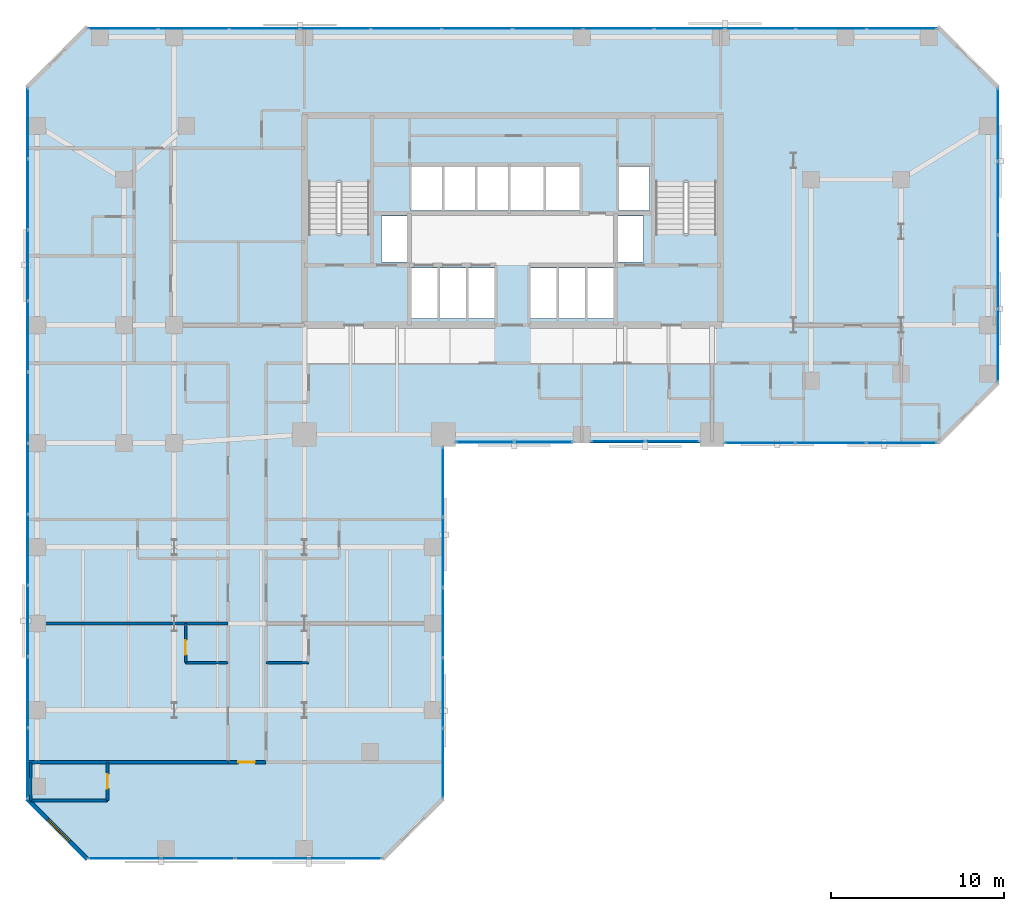
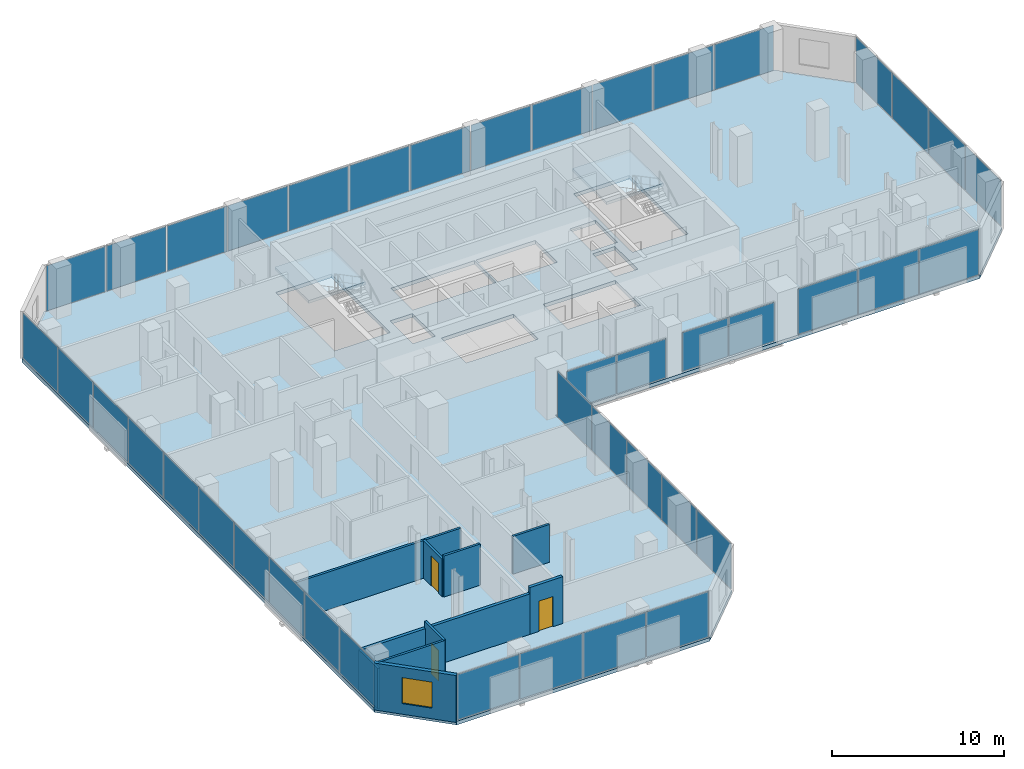
# One storey, part 26 of 32: 42 plates, 10 walls, 3 doors, 3 slabs, 1 window, 4 openings, 10 elements without a shape of their own.
"""IFC4 building model written with IfcOpenShell, lengths in metres."""

from ifc_helpers import new_model, si_unit, direction, frame, frame_2d, origin, origin_2d, place, context, subcontext, project, spatial, polyline, rectangle, outline, extrude, material, layer, layer_set, type_object, element, fill, aggregate, save


model = new_model("IFC4")

# Units and contexts
model_context = context("Model", 3, precision=1e-05, world=origin(), true_north=direction((0.0, 1.0)))
body_context = subcontext(model_context, "Body", "Model", "MODEL_VIEW")
ifc_project = project(units=[si_unit("LENGTHUNIT", "METRE"), si_unit("AREAUNIT", "SQUARE_METRE"), si_unit("VOLUMEUNIT", "CUBIC_METRE"), si_unit("PLANEANGLEUNIT", "RADIAN"), si_unit("MASSUNIT", "GRAM", prefix="KILO")], contexts=[model_context])

# Site, building, storey
site_placement = place(None, origin())
site = spatial("IfcSite", under=ifc_project, at=site_placement, CompositionType="ELEMENT")
building_placement = place(site_placement, origin())
building = spatial("IfcBuilding", under=site, at=building_placement, Name="Catumbela Crestline Tower", CompositionType="ELEMENT")
storey_placement = place(building_placement, frame((0.0, 0.0, 29.4)))
storey = spatial("IfcBuildingStorey", under=building, at=storey_placement, Name="L06", CompositionType="ELEMENT", Elevation=29.4)

# Curtain wall, plates
ifc_material_1 = material(Name="Aluminium alloy AW-6060-T66", Category="aluminium")
ifc_layer_1 = layer(ifc_material_1, 0.18, Name="Aluminium alloy AW-6060-T66")
ifc_layer_set_1 = layer_set([ifc_layer_1], Name="Aluminium alloy AW-6060-T66")
curtain_wall_type = type_object("IfcCurtainWallType", Name="CWU-Z1", PredefinedType="USERDEFINED", material=ifc_layer_set_1)
curtain_wall_1_placement = place(storey_placement, origin())
curtain_wall_1 = element("IfcCurtainWall", 1, at=curtain_wall_1_placement, inside=storey, type_object=curtain_wall_type, Name="L06 Unitised Curtain Wall CW-L06-E0S1", ObjectType="UNITISED", PredefinedType="USERDEFINED")
ifc_material_2 = material(Name="Low-E laminated solar-control double glazing", Category="glass")
ifc_layer_2 = layer(ifc_material_2, 0.034, Name="Low-E laminated solar-control double glazing")
ifc_layer_set_2 = layer_set([ifc_layer_2], Name="Low-E laminated solar-control double glazing")
plate_type = type_object("IfcPlateType", Name="PNL-GLZ-Z1", PredefinedType="CURTAIN_PANEL", material=ifc_layer_set_2)
plate_1_placement = place(storey_placement, frame((5.6412, 0.05, 0.06), z_axis=(0.0, 0.0, 1.0), x_axis=(1.0, 0.0, 0.0)))
plate_1 = element("IfcPlate", 2, at=plate_1_placement, type_object=plate_type, Name="CWU-Z1 panel 1.1", PredefinedType="CURTAIN_PANEL", context=body_context, shape_type="SweptSolid", body=[
    extrude(rectangle(XDim=4.1525, YDim=0.034, at=origin_2d()), origin(), (0.0, 0.0, 1.0), 3.21),
])
plate_2_placement = place(storey_placement, frame((9.875, 0.05, 0.06), z_axis=(0.0, 0.0, 1.0), x_axis=(1.0, 0.0, 0.0)))
plate_2 = element("IfcPlate", 3, at=plate_2_placement, type_object=plate_type, Name="CWU-Z1 panel 2.1", PredefinedType="CURTAIN_PANEL", context=body_context, shape_type="SweptSolid", body=[
    extrude(rectangle(XDim=4.185, YDim=0.034, at=origin_2d()), origin(), (0.0, 0.0, 1.0), 3.21),
])
plate_3_placement = place(storey_placement, frame((14.125, 0.05, 0.06), z_axis=(0.0, 0.0, 1.0), x_axis=(1.0, 0.0, 0.0)))
plate_3 = element("IfcPlate", 4, at=plate_3_placement, type_object=plate_type, Name="CWU-Z1 panel 3.1", PredefinedType="CURTAIN_PANEL", context=body_context, shape_type="SweptSolid", body=[
    extrude(rectangle(XDim=4.185, YDim=0.034, at=origin_2d()), origin(), (0.0, 0.0, 1.0), 3.21),
])
plate_4_placement = place(storey_placement, frame((18.3588, 0.05, 0.06), z_axis=(0.0, 0.0, 1.0), x_axis=(1.0, 0.0, 0.0)))
plate_4 = element("IfcPlate", 5, at=plate_4_placement, type_object=plate_type, Name="CWU-Z1 panel 4.1", PredefinedType="CURTAIN_PANEL", context=body_context, shape_type="SweptSolid", body=[
    extrude(rectangle(XDim=4.1525, YDim=0.034, at=origin_2d()), origin(), (0.0, 0.0, 1.0), 3.21),
])
aggregate(curtain_wall_1, [plate_1, plate_2, plate_3, plate_4])

curtain_wall_2_placement = place(storey_placement, origin())
curtain_wall_2 = element("IfcCurtainWall", 6, at=curtain_wall_2_placement, inside=storey, type_object=curtain_wall_type, Name="L06 Unitised Curtain Wall CW-L06-E2S1", ObjectType="UNITISED", PredefinedType="USERDEFINED")
plate_5_placement = place(storey_placement, frame((24.0, 5.5462, 0.06), z_axis=(0.0, 0.0, 1.0), x_axis=(0.0, 1.0, 0.0)))
plate_5 = element("IfcPlate", 7, at=plate_5_placement, type_object=plate_type, Name="CWU-Z1 panel 1.1", PredefinedType="CURTAIN_PANEL", context=body_context, shape_type="SweptSolid", body=[
    extrude(rectangle(XDim=3.9625, YDim=0.034, at=origin_2d()), origin(), (0.0, 0.0, 1.0), 3.21),
])
plate_6_placement = place(storey_placement, frame((24.0, 9.59, 0.06), z_axis=(0.0, 0.0, 1.0), x_axis=(0.0, 1.0, 0.0)))
plate_6 = element("IfcPlate", 8, at=plate_6_placement, type_object=plate_type, Name="CWU-Z1 panel 2.1", PredefinedType="CURTAIN_PANEL", context=body_context, shape_type="SweptSolid", body=[
    extrude(rectangle(XDim=3.995, YDim=0.034, at=origin_2d()), origin(), (0.0, 0.0, 1.0), 3.21),
])
plate_7_placement = place(storey_placement, frame((24.0, 13.65, 0.06), z_axis=(0.0, 0.0, 1.0), x_axis=(0.0, 1.0, 0.0)))
plate_7 = element("IfcPlate", 9, at=plate_7_placement, type_object=plate_type, Name="CWU-Z1 panel 3.1", PredefinedType="CURTAIN_PANEL", context=body_context, shape_type="SweptSolid", body=[
    extrude(rectangle(XDim=3.995, YDim=0.034, at=origin_2d()), origin(), (0.0, 0.0, 1.0), 3.21),
])
plate_8_placement = place(storey_placement, frame((24.0, 17.71, 0.06), z_axis=(0.0, 0.0, 1.0), x_axis=(0.0, 1.0, 0.0)))
plate_8 = element("IfcPlate", 10, at=plate_8_placement, type_object=plate_type, Name="CWU-Z1 panel 4.1", PredefinedType="CURTAIN_PANEL", context=body_context, shape_type="SweptSolid", body=[
    extrude(rectangle(XDim=3.995, YDim=0.034, at=origin_2d()), origin(), (0.0, 0.0, 1.0), 3.21),
])
plate_9_placement = place(storey_placement, frame((24.0, 21.7538, 0.06), z_axis=(0.0, 0.0, 1.0), x_axis=(0.0, 1.0, 0.0)))
plate_9 = element("IfcPlate", 11, at=plate_9_placement, type_object=plate_type, Name="CWU-Z1 panel 5.1", PredefinedType="CURTAIN_PANEL", context=body_context, shape_type="SweptSolid", body=[
    extrude(rectangle(XDim=3.9625, YDim=0.034, at=origin_2d()), origin(), (0.0, 0.0, 1.0), 3.21),
])
aggregate(curtain_wall_2, [plate_5, plate_6, plate_7, plate_8, plate_9])

curtain_wall_3_placement = place(storey_placement, origin())
curtain_wall_3 = element("IfcCurtainWall", 12, at=curtain_wall_3_placement, inside=storey, type_object=curtain_wall_type, Name="L06 Unitised Curtain Wall CW-L06-E3S1", ObjectType="UNITISED", PredefinedType="USERDEFINED")
plate_10_placement = place(storey_placement, frame((26.4162, 24.05, 0.06), z_axis=(0.0, 0.0, 1.0), x_axis=(1.0, 0.0, 0.0)))
plate_10 = element("IfcPlate", 13, at=plate_10_placement, type_object=plate_type, Name="CWU-Z1 panel 1.1", PredefinedType="CURTAIN_PANEL", context=body_context, shape_type="SweptSolid", body=[
    extrude(rectangle(XDim=3.3025, YDim=0.034, at=origin_2d()), origin(), (0.0, 0.0, 1.0), 2.75),
])
plate_11_placement = place(storey_placement, frame((29.7838, 24.05, 0.06), z_axis=(0.0, 0.0, 1.0), x_axis=(1.0, 0.0, 0.0)))
plate_11 = element("IfcPlate", 14, at=plate_11_placement, type_object=plate_type, Name="CWU-Z1 panel 2.1", PredefinedType="CURTAIN_PANEL", context=body_context, shape_type="SweptSolid", body=[
    extrude(rectangle(XDim=3.3025, YDim=0.034, at=origin_2d()), origin(), (0.0, 0.0, 1.0), 2.75),
])
aggregate(curtain_wall_3, [plate_10, plate_11])

curtain_wall_4_placement = place(storey_placement, origin())
curtain_wall_4 = element("IfcCurtainWall", 15, at=curtain_wall_4_placement, inside=storey, type_object=curtain_wall_type, Name="L06 Unitised Curtain Wall CW-L06-E3S2", ObjectType="UNITISED", PredefinedType="USERDEFINED")
plate_12_placement = place(storey_placement, frame((34.0912, 24.1, 0.06), z_axis=(0.0, 0.0, 1.0), x_axis=(1.0, 0.0, 0.0)))
plate_12 = element("IfcPlate", 16, at=plate_12_placement, type_object=plate_type, Name="CWU-Z1 panel 1.1", PredefinedType="CURTAIN_PANEL", context=body_context, shape_type="SweptSolid", body=[
    extrude(rectangle(XDim=3.0525, YDim=0.034, at=origin_2d()), origin(), (0.0, 0.0, 1.0), 2.75),
])
plate_13_placement = place(storey_placement, frame((37.2088, 24.1, 0.06), z_axis=(0.0, 0.0, 1.0), x_axis=(1.0, 0.0, 0.0)))
plate_13 = element("IfcPlate", 17, at=plate_13_placement, type_object=plate_type, Name="CWU-Z1 panel 2.1", PredefinedType="CURTAIN_PANEL", context=body_context, shape_type="SweptSolid", body=[
    extrude(rectangle(XDim=3.0525, YDim=0.034, at=origin_2d()), origin(), (0.0, 0.0, 1.0), 2.75),
])
aggregate(curtain_wall_4, [plate_12, plate_13])

curtain_wall_5_placement = place(storey_placement, origin())
curtain_wall_5 = element("IfcCurtainWall", 18, at=curtain_wall_5_placement, inside=storey, type_object=curtain_wall_type, Name="L06 Unitised Curtain Wall CW-L06-E3S3", ObjectType="UNITISED", PredefinedType="USERDEFINED")
plate_14_placement = place(storey_placement, frame((42.2662, 24.0, 0.06), z_axis=(0.0, 0.0, 1.0), x_axis=(1.0, 0.0, 0.0)))
plate_14 = element("IfcPlate", 19, at=plate_14_placement, type_object=plate_type, Name="CWU-Z1 panel 1.1", PredefinedType="CURTAIN_PANEL", context=body_context, shape_type="SweptSolid", body=[
    extrude(rectangle(XDim=4.0025, YDim=0.034, at=origin_2d()), origin(), (0.0, 0.0, 1.0), 3.21),
])
plate_15_placement = place(storey_placement, frame((46.35, 24.0, 0.06), z_axis=(0.0, 0.0, 1.0), x_axis=(1.0, 0.0, 0.0)))
plate_15 = element("IfcPlate", 20, at=plate_15_placement, type_object=plate_type, Name="CWU-Z1 panel 2.1", PredefinedType="CURTAIN_PANEL", context=body_context, shape_type="SweptSolid", body=[
    extrude(rectangle(XDim=4.035, YDim=0.034, at=origin_2d()), origin(), (0.0, 0.0, 1.0), 3.21),
])
plate_16_placement = place(storey_placement, frame((50.4338, 24.0, 0.06), z_axis=(0.0, 0.0, 1.0), x_axis=(1.0, 0.0, 0.0)))
plate_16 = element("IfcPlate", 21, at=plate_16_placement, type_object=plate_type, Name="CWU-Z1 panel 3.1", PredefinedType="CURTAIN_PANEL", context=body_context, shape_type="SweptSolid", body=[
    extrude(rectangle(XDim=4.0025, YDim=0.034, at=origin_2d()), origin(), (0.0, 0.0, 1.0), 3.21),
])
aggregate(curtain_wall_5, [plate_14, plate_15, plate_16])

curtain_wall_6_placement = place(storey_placement, origin())
curtain_wall_6 = element("IfcCurtainWall", 22, at=curtain_wall_6_placement, inside=storey, type_object=curtain_wall_type, Name="L06 Unitised Curtain Wall CW-L06-E5S1", ObjectType="UNITISED", PredefinedType="USERDEFINED")
plate_17_placement = place(storey_placement, frame((56.0, 29.6412, 0.06), z_axis=(0.0, 0.0, 1.0), x_axis=(0.0, 1.0, 0.0)))
plate_17 = element("IfcPlate", 23, at=plate_17_placement, type_object=plate_type, Name="CWU-Z1 panel 1.1", PredefinedType="CURTAIN_PANEL", context=body_context, shape_type="SweptSolid", body=[
    extrude(rectangle(XDim=4.1525, YDim=0.034, at=origin_2d()), origin(), (0.0, 0.0, 1.0), 3.21),
])
plate_18_placement = place(storey_placement, frame((56.0, 33.875, 0.06), z_axis=(0.0, 0.0, 1.0), x_axis=(0.0, 1.0, 0.0)))
plate_18 = element("IfcPlate", 24, at=plate_18_placement, type_object=plate_type, Name="CWU-Z1 panel 2.1", PredefinedType="CURTAIN_PANEL", context=body_context, shape_type="SweptSolid", body=[
    extrude(rectangle(XDim=4.185, YDim=0.034, at=origin_2d()), origin(), (0.0, 0.0, 1.0), 3.21),
])
plate_19_placement = place(storey_placement, frame((56.0, 38.125, 0.06), z_axis=(0.0, 0.0, 1.0), x_axis=(0.0, 1.0, 0.0)))
plate_19 = element("IfcPlate", 25, at=plate_19_placement, type_object=plate_type, Name="CWU-Z1 panel 3.1", PredefinedType="CURTAIN_PANEL", context=body_context, shape_type="SweptSolid", body=[
    extrude(rectangle(XDim=4.185, YDim=0.034, at=origin_2d()), origin(), (0.0, 0.0, 1.0), 3.21),
])
plate_20_placement = place(storey_placement, frame((56.0, 42.3588, 0.06), z_axis=(0.0, 0.0, 1.0), x_axis=(0.0, 1.0, 0.0)))
plate_20 = element("IfcPlate", 26, at=plate_20_placement, type_object=plate_type, Name="CWU-Z1 panel 4.1", PredefinedType="CURTAIN_PANEL", context=body_context, shape_type="SweptSolid", body=[
    extrude(rectangle(XDim=4.1525, YDim=0.034, at=origin_2d()), origin(), (0.0, 0.0, 1.0), 3.21),
])
aggregate(curtain_wall_6, [plate_17, plate_18, plate_19, plate_20])

curtain_wall_7_placement = place(storey_placement, origin())
curtain_wall_7 = element("IfcCurtainWall", 27, at=curtain_wall_7_placement, inside=storey, type_object=curtain_wall_type, Name="L06 Unitised Curtain Wall CW-L06-E7S1", ObjectType="UNITISED", PredefinedType="USERDEFINED")
plate_21_placement = place(storey_placement, frame((50.4421, 47.9, 0.06), z_axis=(0.0, 0.0, 1.0), x_axis=(-1.0, 0.0, 0.0)))
plate_21 = element("IfcPlate", 28, at=plate_21_placement, type_object=plate_type, Name="CWU-Z1 panel 1.1", PredefinedType="CURTAIN_PANEL", context=body_context, shape_type="SweptSolid", body=[
    extrude(rectangle(XDim=3.9858, YDim=0.034, at=origin_2d()), origin(), (0.0, 0.0, 1.0), 3.21),
])
plate_22_placement = place(storey_placement, frame((46.375, 47.9, 0.06), z_axis=(0.0, 0.0, 1.0), x_axis=(-1.0, 0.0, 0.0)))
plate_22 = element("IfcPlate", 29, at=plate_22_placement, type_object=plate_type, Name="CWU-Z1 panel 2.1", PredefinedType="CURTAIN_PANEL", context=body_context, shape_type="SweptSolid", body=[
    extrude(rectangle(XDim=4.0183, YDim=0.034, at=origin_2d()), origin(), (0.0, 0.0, 1.0), 3.21),
])
plate_23_placement = place(storey_placement, frame((42.2917, 47.9, 0.06), z_axis=(0.0, 0.0, 1.0), x_axis=(-1.0, 0.0, 0.0)))
plate_23 = element("IfcPlate", 30, at=plate_23_placement, type_object=plate_type, Name="CWU-Z1 panel 3.1", PredefinedType="CURTAIN_PANEL", context=body_context, shape_type="SweptSolid", body=[
    extrude(rectangle(XDim=4.0183, YDim=0.034, at=origin_2d()), origin(), (0.0, 0.0, 1.0), 3.21),
])
plate_24_placement = place(storey_placement, frame((38.2083, 47.9, 0.06), z_axis=(0.0, 0.0, 1.0), x_axis=(-1.0, 0.0, 0.0)))
plate_24 = element("IfcPlate", 31, at=plate_24_placement, type_object=plate_type, Name="CWU-Z1 panel 4.1", PredefinedType="CURTAIN_PANEL", context=body_context, shape_type="SweptSolid", body=[
    extrude(rectangle(XDim=4.0183, YDim=0.034, at=origin_2d()), origin(), (0.0, 0.0, 1.0), 3.21),
])
plate_25_placement = place(storey_placement, frame((34.125, 47.9, 0.06), z_axis=(0.0, 0.0, 1.0), x_axis=(-1.0, 0.0, 0.0)))
plate_25 = element("IfcPlate", 32, at=plate_25_placement, type_object=plate_type, Name="CWU-Z1 panel 5.1", PredefinedType="CURTAIN_PANEL", context=body_context, shape_type="SweptSolid", body=[
    extrude(rectangle(XDim=4.0183, YDim=0.034, at=origin_2d()), origin(), (0.0, 0.0, 1.0), 3.21),
])
plate_26_placement = place(storey_placement, frame((30.0417, 47.9, 0.06), z_axis=(0.0, 0.0, 1.0), x_axis=(-1.0, 0.0, 0.0)))
plate_26 = element("IfcPlate", 33, at=plate_26_placement, type_object=plate_type, Name="CWU-Z1 panel 6.1", PredefinedType="CURTAIN_PANEL", context=body_context, shape_type="SweptSolid", body=[
    extrude(rectangle(XDim=4.0183, YDim=0.034, at=origin_2d()), origin(), (0.0, 0.0, 1.0), 3.21),
])
plate_27_placement = place(storey_placement, frame((25.9583, 47.9, 0.06), z_axis=(0.0, 0.0, 1.0), x_axis=(-1.0, 0.0, 0.0)))
plate_27 = element("IfcPlate", 34, at=plate_27_placement, type_object=plate_type, Name="CWU-Z1 panel 7.1", PredefinedType="CURTAIN_PANEL", context=body_context, shape_type="SweptSolid", body=[
    extrude(rectangle(XDim=4.0183, YDim=0.034, at=origin_2d()), origin(), (0.0, 0.0, 1.0), 3.21),
])
plate_28_placement = place(storey_placement, frame((21.875, 47.9, 0.06), z_axis=(0.0, 0.0, 1.0), x_axis=(-1.0, 0.0, 0.0)))
plate_28 = element("IfcPlate", 35, at=plate_28_placement, type_object=plate_type, Name="CWU-Z1 panel 8.1", PredefinedType="CURTAIN_PANEL", context=body_context, shape_type="SweptSolid", body=[
    extrude(rectangle(XDim=4.0183, YDim=0.034, at=origin_2d()), origin(), (0.0, 0.0, 1.0), 3.21),
])
plate_29_placement = place(storey_placement, frame((17.7917, 47.9, 0.06), z_axis=(0.0, 0.0, 1.0), x_axis=(-1.0, 0.0, 0.0)))
plate_29 = element("IfcPlate", 36, at=plate_29_placement, type_object=plate_type, Name="CWU-Z1 panel 9.1", PredefinedType="CURTAIN_PANEL", context=body_context, shape_type="SweptSolid", body=[
    extrude(rectangle(XDim=4.0183, YDim=0.034, at=origin_2d()), origin(), (0.0, 0.0, 1.0), 3.21),
])
plate_30_placement = place(storey_placement, frame((13.7083, 47.9, 0.06), z_axis=(0.0, 0.0, 1.0), x_axis=(-1.0, 0.0, 0.0)))
plate_30 = element("IfcPlate", 37, at=plate_30_placement, type_object=plate_type, Name="CWU-Z1 panel 10.1", PredefinedType="CURTAIN_PANEL", context=body_context, shape_type="SweptSolid", body=[
    extrude(rectangle(XDim=4.0183, YDim=0.034, at=origin_2d()), origin(), (0.0, 0.0, 1.0), 3.21),
])
plate_31_placement = place(storey_placement, frame((9.625, 47.9, 0.06), z_axis=(0.0, 0.0, 1.0), x_axis=(-1.0, 0.0, 0.0)))
plate_31 = element("IfcPlate", 38, at=plate_31_placement, type_object=plate_type, Name="CWU-Z1 panel 11.1", PredefinedType="CURTAIN_PANEL", context=body_context, shape_type="SweptSolid", body=[
    extrude(rectangle(XDim=4.0183, YDim=0.034, at=origin_2d()), origin(), (0.0, 0.0, 1.0), 3.21),
])
plate_32_placement = place(storey_placement, frame((5.5579, 47.9, 0.06), z_axis=(0.0, 0.0, 1.0), x_axis=(-1.0, 0.0, 0.0)))
plate_32 = element("IfcPlate", 39, at=plate_32_placement, type_object=plate_type, Name="CWU-Z1 panel 12.1", PredefinedType="CURTAIN_PANEL", context=body_context, shape_type="SweptSolid", body=[
    extrude(rectangle(XDim=3.9858, YDim=0.034, at=origin_2d()), origin(), (0.0, 0.0, 1.0), 3.21),
])
aggregate(curtain_wall_7, [plate_21, plate_22, plate_23, plate_24, plate_25, plate_26, plate_27, plate_28, plate_29, plate_30, plate_31, plate_32])

curtain_wall_8_placement = place(storey_placement, origin())
curtain_wall_8 = element("IfcCurtainWall", 40, at=curtain_wall_8_placement, inside=storey, type_object=curtain_wall_type, Name="L06 Unitised Curtain Wall CW-L06-E9S1", ObjectType="UNITISED", PredefinedType="USERDEFINED")
plate_33_placement = place(storey_placement, frame((0.05, 42.4338, 0.06), z_axis=(0.0, 0.0, 1.0), x_axis=(0.0, -1.0, 0.0)))
plate_33 = element("IfcPlate", 41, at=plate_33_placement, type_object=plate_type, Name="CWU-Z1 panel 1.1", PredefinedType="CURTAIN_PANEL", context=body_context, shape_type="SweptSolid", body=[
    extrude(rectangle(XDim=4.0025, YDim=0.034, at=origin_2d()), origin(), (0.0, 0.0, 1.0), 3.21),
])
plate_34_placement = place(storey_placement, frame((0.05, 38.35, 0.06), z_axis=(0.0, 0.0, 1.0), x_axis=(0.0, -1.0, 0.0)))
plate_34 = element("IfcPlate", 42, at=plate_34_placement, type_object=plate_type, Name="CWU-Z1 panel 2.1", PredefinedType="CURTAIN_PANEL", context=body_context, shape_type="SweptSolid", body=[
    extrude(rectangle(XDim=4.035, YDim=0.034, at=origin_2d()), origin(), (0.0, 0.0, 1.0), 3.21),
])
plate_35_placement = place(storey_placement, frame((0.05, 34.25, 0.06), z_axis=(0.0, 0.0, 1.0), x_axis=(0.0, -1.0, 0.0)))
plate_35 = element("IfcPlate", 43, at=plate_35_placement, type_object=plate_type, Name="CWU-Z1 panel 3.1", PredefinedType="CURTAIN_PANEL", context=body_context, shape_type="SweptSolid", body=[
    extrude(rectangle(XDim=4.035, YDim=0.034, at=origin_2d()), origin(), (0.0, 0.0, 1.0), 3.21),
])
plate_36_placement = place(storey_placement, frame((0.05, 30.15, 0.06), z_axis=(0.0, 0.0, 1.0), x_axis=(0.0, -1.0, 0.0)))
plate_36 = element("IfcPlate", 44, at=plate_36_placement, type_object=plate_type, Name="CWU-Z1 panel 4.1", PredefinedType="CURTAIN_PANEL", context=body_context, shape_type="SweptSolid", body=[
    extrude(rectangle(XDim=4.035, YDim=0.034, at=origin_2d()), origin(), (0.0, 0.0, 1.0), 3.21),
])
plate_37_placement = place(storey_placement, frame((0.05, 26.05, 0.06), z_axis=(0.0, 0.0, 1.0), x_axis=(0.0, -1.0, 0.0)))
plate_37 = element("IfcPlate", 45, at=plate_37_placement, type_object=plate_type, Name="CWU-Z1 panel 5.1", PredefinedType="CURTAIN_PANEL", context=body_context, shape_type="SweptSolid", body=[
    extrude(rectangle(XDim=4.035, YDim=0.034, at=origin_2d()), origin(), (0.0, 0.0, 1.0), 3.21),
])
plate_38_placement = place(storey_placement, frame((0.05, 21.95, 0.06), z_axis=(0.0, 0.0, 1.0), x_axis=(0.0, -1.0, 0.0)))
plate_38 = element("IfcPlate", 46, at=plate_38_placement, type_object=plate_type, Name="CWU-Z1 panel 6.1", PredefinedType="CURTAIN_PANEL", context=body_context, shape_type="SweptSolid", body=[
    extrude(rectangle(XDim=4.035, YDim=0.034, at=origin_2d()), origin(), (0.0, 0.0, 1.0), 3.21),
])
plate_39_placement = place(storey_placement, frame((0.05, 17.85, 0.06), z_axis=(0.0, 0.0, 1.0), x_axis=(0.0, -1.0, 0.0)))
plate_39 = element("IfcPlate", 47, at=plate_39_placement, type_object=plate_type, Name="CWU-Z1 panel 7.1", PredefinedType="CURTAIN_PANEL", context=body_context, shape_type="SweptSolid", body=[
    extrude(rectangle(XDim=4.035, YDim=0.034, at=origin_2d()), origin(), (0.0, 0.0, 1.0), 3.21),
])
plate_40_placement = place(storey_placement, frame((0.05, 13.75, 0.06), z_axis=(0.0, 0.0, 1.0), x_axis=(0.0, -1.0, 0.0)))
plate_40 = element("IfcPlate", 48, at=plate_40_placement, type_object=plate_type, Name="CWU-Z1 panel 8.1", PredefinedType="CURTAIN_PANEL", context=body_context, shape_type="SweptSolid", body=[
    extrude(rectangle(XDim=4.035, YDim=0.034, at=origin_2d()), origin(), (0.0, 0.0, 1.0), 3.21),
])
plate_41_placement = place(storey_placement, frame((0.05, 9.65, 0.06), z_axis=(0.0, 0.0, 1.0), x_axis=(0.0, -1.0, 0.0)))
plate_41 = element("IfcPlate", 49, at=plate_41_placement, type_object=plate_type, Name="CWU-Z1 panel 9.1", PredefinedType="CURTAIN_PANEL", context=body_context, shape_type="SweptSolid", body=[
    extrude(rectangle(XDim=4.035, YDim=0.034, at=origin_2d()), origin(), (0.0, 0.0, 1.0), 3.21),
])
plate_42_placement = place(storey_placement, frame((0.05, 5.5662, 0.06), z_axis=(0.0, 0.0, 1.0), x_axis=(0.0, -1.0, 0.0)))
plate_42 = element("IfcPlate", 50, at=plate_42_placement, type_object=plate_type, Name="CWU-Z1 panel 10.1", PredefinedType="CURTAIN_PANEL", context=body_context, shape_type="SweptSolid", body=[
    extrude(rectangle(XDim=4.0025, YDim=0.034, at=origin_2d()), origin(), (0.0, 0.0, 1.0), 3.21),
])
aggregate(curtain_wall_8, [plate_33, plate_34, plate_35, plate_36, plate_37, plate_38, plate_39, plate_40, plate_41, plate_42])

# Stair, slab
ifc_material_3 = material(Name="Concrete C45/55", Category="concrete")
stair_type = type_object("IfcStairType", Name="ST-DLG", PredefinedType="HALF_TURN_STAIR", material=ifc_material_3)
stair_1_placement = place(storey_placement, origin())
stair_1 = element("IfcStair", 51, at=stair_1_placement, inside=storey, type_object=stair_type, Name="L06 West Core Pressurised Exit Stair ST-01", PredefinedType="HALF_TURN_STAIR")
ifc_layer_3 = layer(ifc_material_3, 0.2, Name="Concrete C45/55")
ifc_layer_set_3 = layer_set([ifc_layer_3], Name="Concrete C45/55")
slab_type_1 = type_object("IfcSlabType", Name="SL-LND", PredefinedType="LANDING", material=ifc_layer_set_3)
slab_1_placement = place(storey_placement, frame((0.0, 0.0, 1.6)))
slab_1 = element("IfcSlab", 52, at=slab_1_placement, type_object=slab_type_1, Name="ST-01 landing 1", PredefinedType="LANDING", context=body_context, shape_type="SweptSolid", body=[
    extrude(outline(polyline([(19.91, 39.02), (19.91, 42.96), (16.09, 42.96), (16.09, 39.02), (19.91, 39.02)])), origin(), (0.0, 0.0, 1.0), 0.2),
])
aggregate(stair_1, [slab_1])

stair_2_placement = place(storey_placement, origin())
stair_2 = element("IfcStair", 53, at=stair_2_placement, inside=storey, type_object=stair_type, Name="L06 East Core Pressurised Exit Stair ST-02", PredefinedType="HALF_TURN_STAIR")
slab_2_placement = place(storey_placement, frame((0.0, 0.0, 1.6)))
slab_2 = element("IfcSlab", 54, at=slab_2_placement, type_object=slab_type_1, Name="ST-02 landing 1", PredefinedType="LANDING", context=body_context, shape_type="SweptSolid", body=[
    extrude(outline(polyline([(39.91, 39.02), (39.91, 42.96), (36.09, 42.96), (36.09, 39.02), (39.91, 39.02)])), origin(), (0.0, 0.0, 1.0), 0.2),
])
aggregate(stair_2, [slab_2])

# Slab
ifc_layer_4 = layer(ifc_material_3, 0.26, Name="Concrete C45/55")
ifc_layer_set_4 = layer_set([ifc_layer_4], Name="Concrete C45/55")
slab_type_2 = type_object("IfcSlabType", Name="SL-260", PredefinedType="FLOOR", material=ifc_layer_set_4)
slab_3_placement = place(storey_placement, frame((0.0, 0.0, -0.26)))
element("IfcSlab", 55, at=slab_3_placement, inside=storey, type_object=slab_type_2, Name="L06 Structural Floor Slab", PredefinedType="FLOOR", context=body_context, shape_type="SweptSolid", body=[
    extrude(outline(polyline([(3.5, 0.0), (20.5, 0.0), (24.0, 3.5), (24.0, 24.0), (52.5, 24.0), (56.0, 27.5), (56.0, 44.5), (52.5, 48.0), (3.5, 48.0), (0.0, 44.5), (0.0, 3.5), (3.5, 0.0)]), holes=[polyline([(16.13, 36.08), (19.87, 36.08), (19.87, 42.92), (16.13, 42.92), (16.13, 36.08)]), polyline([(36.13, 36.08), (39.87, 36.08), (39.87, 42.92), (36.13, 42.92), (36.13, 36.08)]), polyline([(22.15, 31.2), (27.0, 31.2), (27.0, 34.1), (22.15, 34.1), (22.15, 31.2)]), polyline([(29.0, 31.2), (33.85, 31.2), (33.85, 34.1), (29.0, 34.1), (29.0, 31.2)]), polyline([(22.15, 37.4), (27.75, 37.4), (27.75, 39.95), (22.15, 39.95), (22.15, 37.4)]), polyline([(27.85, 37.4), (31.85, 37.4), (31.85, 39.95), (27.85, 39.95), (27.85, 37.4)]), polyline([(20.45, 34.45), (21.95, 34.45), (21.95, 37.1), (20.45, 37.1), (20.45, 34.45)]), polyline([(34.05, 34.45), (35.55, 34.45), (35.55, 37.1), (34.05, 37.1), (34.05, 34.45)]), polyline([(34.15, 37.4), (35.9, 37.4), (35.9, 39.95), (34.15, 39.95), (34.15, 37.4)])]), origin(), (0.0, 0.0, 1.0), 0.26),
])

# Wall, opening, door
ifc_material_4 = material(Name="Acoustic gypsum and mineral-wool partition")
ifc_layer_5 = layer(ifc_material_4, 0.2, Name="Acoustic gypsum and mineral-wool partition")
ifc_layer_set_5 = layer_set([ifc_layer_5], Name="Acoustic gypsum and mineral-wool partition")
wall_type_1 = type_object("IfcWallType", Name="WC-200", PredefinedType="PARTITIONING", material=ifc_layer_set_5)
wall_1_placement = place(storey_placement, frame((11.6, 5.6, 0.0), z_axis=(0.0, 0.0, 1.0), x_axis=(1.0, 0.0, 0.0)))
wall_1 = element("IfcWall", 56, at=wall_1_placement, inside=storey, type_object=wall_type_1, Name="L06 Interior Partition PW-L06-WTIP-ENT", PredefinedType="PARTITIONING", context=body_context, shape_type="SweptSolid", body=[
    extrude(rectangle(XDim=2.2, YDim=0.2, at=frame_2d((1.1, 0.0))), origin(), (0.0, 0.0, 1.0), 3.33),
])
opening_1_placement = place(wall_1_placement, frame((0.5925, 0.0, 0.0)))
opening_1 = element("IfcOpeningElement", 57, at=opening_1_placement, cuts=wall_1, Name="Opening DF6-095", PredefinedType="OPENING", context=body_context, shape_type="SweptSolid", body=[
    extrude(rectangle(XDim=0.95, YDim=2.15, at=frame_2d((0.475, 1.075))), frame((0.0, 0.11, 0.0), z_axis=(0.0, -1.0, 0.0), x_axis=(1.0, 0.0, 0.0)), (0.0, 0.0, 1.0), 0.22),
])
door_type_1 = type_object("IfcDoorType", Name="DF6-095", OperationType="NOTDEFINED", PredefinedType="DOOR", material=ifc_material_1)
door_1_placement = place(opening_1_placement, origin())
door_1 = element("IfcDoor", 58, at=door_1_placement, inside=storey, type_object=door_type_1, Name="L06 Interior Door DR-L06-WTIP-ENT", OperationType="SINGLE_SWING_LEFT", OverallHeight=2.15, OverallWidth=0.95, PredefinedType="DOOR", context=body_context, shape_type="SweptSolid", body=[
    extrude(rectangle(XDim=0.95, YDim=2.15, at=frame_2d((0.475, 1.075))), frame((0.0, 0.025, 0.0), z_axis=(0.0, -1.0, 0.0), x_axis=(1.0, 0.0, 0.0)), (0.0, 0.0, 1.0), 0.05),
])
fill(opening_1, door_1)

# Wall, opening, window
ifc_material_5 = material(Name="Angolan grey-ochre granite", Category="masonry")
ifc_layer_6 = layer(ifc_material_5, 0.25, Name="Angolan grey-ochre granite")
ifc_layer_set_6 = layer_set([ifc_layer_6], Name="Angolan grey-ochre granite")
wall_type_2 = type_object("IfcWallType", Name="WE-250", PredefinedType="STANDARD", material=ifc_layer_set_6)
wall_2_placement = place(storey_placement, frame((0.0, 3.5, 0.0), z_axis=(0.0, 0.0, 1.0), x_axis=(0.707106781187, -0.707106781187, 0.0)))
wall_2 = element("IfcWall", 59, at=wall_2_placement, inside=storey, type_object=wall_type_2, Name="L06 Granite Punched Window Wall 10-1", PredefinedType="STANDARD", context=body_context, shape_type="SweptSolid", body=[
    extrude(rectangle(XDim=4.9497, YDim=0.25, at=frame_2d((2.4748, 0.0))), origin(), (0.0, 0.0, 1.0), 3.33),
])
opening_2_placement = place(wall_2_placement, frame((1.6851, 0.0, 0.75)))
opening_2 = element("IfcOpeningElement", 60, at=opening_2_placement, cuts=wall_2, Name="Opening WN-01", PredefinedType="OPENING", context=body_context, shape_type="SweptSolid", body=[
    extrude(rectangle(XDim=1.8, YDim=1.85, at=frame_2d((0.9, 0.925))), frame((0.0, 0.135, 0.0), z_axis=(0.0, -1.0, 0.0), x_axis=(1.0, 0.0, 0.0)), (0.0, 0.0, 1.0), 0.27),
])
window_type = type_object("IfcWindowType", Name="WF-1800", PartitioningType="SINGLE_PANEL", PredefinedType="WINDOW", material=ifc_material_2)
window_placement = place(opening_2_placement, origin())
window = element("IfcWindow", 61, at=window_placement, inside=storey, type_object=window_type, Name="L06 Facade Vision Window 57", OverallHeight=1.85, OverallWidth=1.8, PartitioningType="SINGLE_PANEL", PredefinedType="WINDOW", context=body_context, shape_type="SweptSolid", body=[
    extrude(rectangle(XDim=1.8, YDim=1.85, at=frame_2d((0.9, 0.925))), frame((0.0, 0.03, 0.0), z_axis=(0.0, -1.0, 0.0), x_axis=(1.0, 0.0, 0.0)), (0.0, 0.0, 1.0), 0.06),
])
fill(opening_2, window)

# Wall
ifc_layer_7 = layer(ifc_material_4, 0.15, Name="Acoustic gypsum and mineral-wool partition")
ifc_layer_set_7 = layer_set([ifc_layer_7], Name="Acoustic gypsum and mineral-wool partition")
wall_type_3 = type_object("IfcWallType", Name="WP-150", PredefinedType="PARTITIONING", material=ifc_layer_set_7)
wall_3_placement = place(storey_placement, frame((0.2, 3.4, 0.0), z_axis=(0.0, 0.0, 1.0), x_axis=(1.0, 0.0, 0.0)))
element("IfcWall", 62, at=wall_3_placement, inside=storey, type_object=wall_type_3, Name="L06 Interior Partition PW-L06-WTIP-BHW", PredefinedType="PARTITIONING", context=body_context, shape_type="SweptSolid", body=[
    extrude(rectangle(XDim=4.45, YDim=0.15, at=frame_2d((2.225, 0.0))), origin(), (0.0, 0.0, 1.0), 3.33),
])

# Wall, opening, door
wall_4_placement = place(storey_placement, frame((4.65, 3.4, 0.0), z_axis=(0.0, 0.0, 1.0), x_axis=(0.0, 1.0, 0.0)))
wall_4 = element("IfcWall", 63, at=wall_4_placement, inside=storey, type_object=wall_type_3, Name="L06 Interior Partition PW-L06-WTIP-BEW", PredefinedType="PARTITIONING", context=body_context, shape_type="SweptSolid", body=[
    extrude(rectangle(XDim=2.2, YDim=0.15, at=frame_2d((1.1, 0.0))), origin(), (0.0, 0.0, 1.0), 3.33),
])
opening_3_placement = place(wall_4_placement, frame((0.675, 0.0, 0.0)))
opening_3 = element("IfcOpeningElement", 64, at=opening_3_placement, cuts=wall_4, Name="Opening DI-085", PredefinedType="OPENING", context=body_context, shape_type="SweptSolid", body=[
    extrude(rectangle(XDim=0.85, YDim=2.15, at=frame_2d((0.425, 1.075))), frame((0.0, 0.085, 0.0), z_axis=(0.0, -1.0, 0.0), x_axis=(1.0, 0.0, 0.0)), (0.0, 0.0, 1.0), 0.17),
])
door_type_2 = type_object("IfcDoorType", Name="DI-085", OperationType="NOTDEFINED", PredefinedType="DOOR", material=ifc_material_1)
door_2_placement = place(opening_3_placement, origin())
door_2 = element("IfcDoor", 65, at=door_2_placement, inside=storey, type_object=door_type_2, Name="L06 Interior Door DR-L06-WTIP-BTH", OperationType="SINGLE_SWING_LEFT", OverallHeight=2.15, OverallWidth=0.85, PredefinedType="DOOR", context=body_context, shape_type="SweptSolid", body=[
    extrude(rectangle(XDim=0.85, YDim=2.15, at=frame_2d((0.425, 1.075))), frame((0.0, 0.025, 0.0), z_axis=(0.0, -1.0, 0.0), x_axis=(1.0, 0.0, 0.0)), (0.0, 0.0, 1.0), 0.05),
])
fill(opening_3, door_2)

# Walls
wall_5_placement = place(storey_placement, frame((0.22, 3.38, 0.0), z_axis=(0.0, 0.0, 1.0), x_axis=(0.0, 1.0, 0.0)))
element("IfcWall", 66, at=wall_5_placement, inside=storey, type_object=wall_type_3, Name="L06 Interior Partition PW-L06-WTIP-BCL-3", PredefinedType="PARTITIONING", context=body_context, shape_type="SweptSolid", body=[
    extrude(rectangle(XDim=2.22, YDim=0.15, at=frame_2d((1.11, 0.0))), origin(), (0.0, 0.0, 1.0), 2.87),
])
wall_6_placement = place(storey_placement, frame((9.15, 11.35, 0.0), z_axis=(0.0, 0.0, 1.0), x_axis=(1.0, 0.0, 0.0)))
element("IfcWall", 67, at=wall_6_placement, inside=storey, type_object=wall_type_3, Name="L06 Interior Partition PW-L06-WL1-BSW", PredefinedType="PARTITIONING", context=body_context, shape_type="SweptSolid", body=[
    extrude(rectangle(XDim=2.45, YDim=0.15, at=frame_2d((1.225, 0.0))), origin(), (0.0, 0.0, 1.0), 2.92),
])

# Wall, opening, door
wall_7_placement = place(storey_placement, frame((9.15, 11.35, 0.0), z_axis=(0.0, 0.0, 1.0), x_axis=(0.0, 1.0, 0.0)))
wall_7 = element("IfcWall", 68, at=wall_7_placement, inside=storey, type_object=wall_type_3, Name="L06 Interior Partition PW-L06-WL1-BWW", PredefinedType="PARTITIONING", context=body_context, shape_type="SweptSolid", body=[
    extrude(rectangle(XDim=2.25, YDim=0.15, at=frame_2d((1.125, 0.0))), origin(), (0.0, 0.0, 1.0), 2.68),
])
opening_4_placement = place(wall_7_placement, frame((0.4444, 0.0, 0.0)))
opening_4 = element("IfcOpeningElement", 69, at=opening_4_placement, cuts=wall_7, Name="Opening DI-085", PredefinedType="OPENING", context=body_context, shape_type="SweptSolid", body=[
    extrude(rectangle(XDim=0.85, YDim=2.15, at=frame_2d((0.425, 1.075))), frame((0.0, 0.085, 0.0), z_axis=(0.0, -1.0, 0.0), x_axis=(1.0, 0.0, 0.0)), (0.0, 0.0, 1.0), 0.17),
])
door_3_placement = place(opening_4_placement, origin())
door_3 = element("IfcDoor", 70, at=door_3_placement, inside=storey, type_object=door_type_2, Name="L06 Interior Door DR-L06-WL1-BTH", OperationType="SINGLE_SWING_LEFT", OverallHeight=2.15, OverallWidth=0.85, PredefinedType="DOOR", context=body_context, shape_type="SweptSolid", body=[
    extrude(rectangle(XDim=0.85, YDim=2.15, at=frame_2d((0.425, 1.075))), frame((0.0, 0.025, 0.0), z_axis=(0.0, -1.0, 0.0), x_axis=(1.0, 0.0, 0.0)), (0.0, 0.0, 1.0), 0.05),
])
fill(opening_4, door_3)

# Walls
wall_8_placement = place(storey_placement, frame((0.1, 13.6, 0.0), z_axis=(0.0, 0.0, 1.0), x_axis=(1.0, 0.0, 0.0)))
element("IfcWall", 71, at=wall_8_placement, inside=storey, type_object=wall_type_3, Name="L06 Interior Partition PW-L06-WL1-BCL-1", PredefinedType="PARTITIONING", context=body_context, shape_type="SweptSolid", body=[
    extrude(rectangle(XDim=11.5, YDim=0.15, at=frame_2d((5.75, 0.0))), origin(), (0.0, 0.0, 1.0), 2.68),
])
wall_9_placement = place(storey_placement, frame((13.8, 11.35, 0.0), z_axis=(0.0, 0.0, 1.0), x_axis=(1.0, 0.0, 0.0)))
element("IfcWall", 72, at=wall_9_placement, inside=storey, type_object=wall_type_3, Name="L06 Interior Partition PW-L06-WR1-BSW", PredefinedType="PARTITIONING", context=body_context, shape_type="SweptSolid", body=[
    extrude(rectangle(XDim=2.45, YDim=0.15, at=frame_2d((1.225, 0.0))), origin(), (0.0, 0.0, 1.0), 2.68),
])
ifc_layer_8 = layer(ifc_material_4, 0.2, Name="Acoustic gypsum and mineral-wool partition")
ifc_layer_set_8 = layer_set([ifc_layer_8], Name="Acoustic gypsum and mineral-wool partition")
wall_type_4 = type_object("IfcWallType", Name="WY-200", PredefinedType="PARTITIONING", material=ifc_layer_set_8)
wall_10_placement = place(storey_placement, frame((0.1, 5.6, 0.0), z_axis=(0.0, 0.0, 1.0), x_axis=(1.0, 0.0, 0.0)))
element("IfcWall", 73, at=wall_10_placement, inside=storey, type_object=wall_type_4, Name="L06 Interior Partition PW-L06-WTIP-WL", PredefinedType="PARTITIONING", context=body_context, shape_type="SweptSolid", body=[
    extrude(rectangle(XDim=11.5, YDim=0.2, at=frame_2d((5.75, 0.0))), origin(), (0.0, 0.0, 1.0), 2.87),
])

save(model, "model.ifc")
